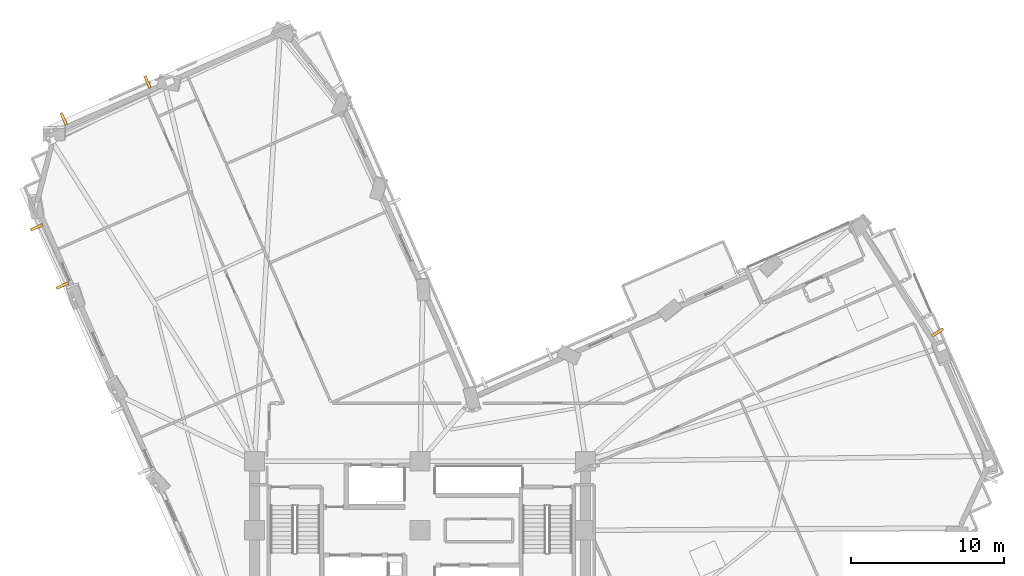
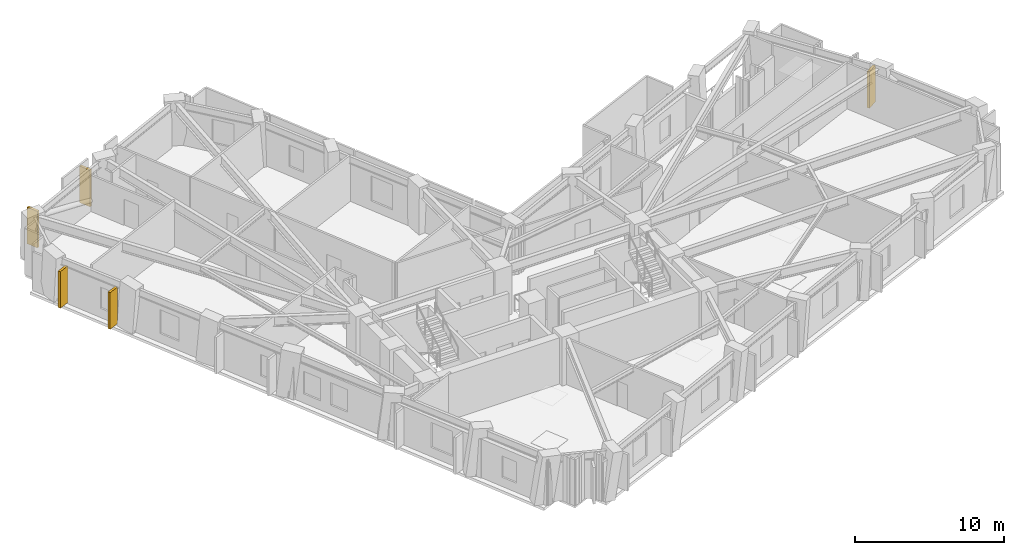
# One storey, part 13 of 15: 5 shading devices.
"""IFC4 building model written with IfcOpenShell, lengths in metres."""

from ifc_helpers import new_model, si_unit, direction, frame, origin, origin_2d, place, context, subcontext, project, spatial, rectangle, extrude, material, type_object, element, save


model = new_model("IFC4")

# Units and contexts
model_context = context("Model", 3, precision=1e-05, world=origin(), true_north=direction((0.0, 1.0)))
body_context = subcontext(model_context, "Body", "Model", "MODEL_VIEW")
ifc_project = project(units=[si_unit("LENGTHUNIT", "METRE"), si_unit("AREAUNIT", "SQUARE_METRE"), si_unit("VOLUMEUNIT", "CUBIC_METRE"), si_unit("PLANEANGLEUNIT", "RADIAN"), si_unit("MASSUNIT", "GRAM", prefix="KILO")], contexts=[model_context])

# Site, building, storey
site_placement = place(None, origin())
site = spatial("IfcSite", under=ifc_project, at=site_placement, CompositionType="ELEMENT")
building_placement = place(site_placement, origin())
building = spatial("IfcBuilding", under=site, at=building_placement, Name="Gaonmaruhae Medical Tower", CompositionType="ELEMENT")
storey_placement = place(building_placement, frame((0.0, 0.0, 124.39990234375)))
storey = spatial("IfcBuildingStorey", under=building, at=storey_placement, Name="L29", CompositionType="ELEMENT", Elevation=124.39990234375)

# Shading devices
ifc_material = material(Name="Pigmented coral precast concrete C45/55", Category="concrete")
shading_device_type = type_object("IfcShadingDeviceType", Name="SD-FIN1 Tower Vertical Coral Precast Shading Fin", PredefinedType="USERDEFINED", material=ifc_material)
for number, where, z_axis, x_axis, name in (
    (1, (58.556884765625, 25.211669921875, 0.08251953125), (0.0, 0.0, 1.0), (0.537902988992, -0.843006746375, 0.0), "L29 Vertical Coral Precast Shading Fin E02B"),
    (2, (1.560302734375, 39.124267578125, 0.08251953125), (0.0, 0.0, 1.0), (0.915311479119, 0.402746689859, 0.0), "L29 Vertical Coral Precast Shading Fin N02"),
    (3, (7.02490234375, 41.52880859375, 0.08251953125), (0.0, 0.0, 1.0), (0.915311479119, 0.402746689859, 0.0), "L29 Vertical Coral Precast Shading Fin N02B"),
    (4, (1.47265625, 28.25537109375, 0.08251953125), (0.0, 0.0, 1.0), (-0.402746689859, 0.915311479119, 0.0), "L29 Vertical Coral Precast Shading Fin W01"),
    (5, (-0.201171875, 32.058837890625, 0.08251953125), (0.0, 0.0, 1.0), (-0.402746689859, 0.915311479119, 0.0), "L29 Vertical Coral Precast Shading Fin W01B"),
):
    element("IfcShadingDevice", number, at=place(storey_placement, frame(where, z_axis=z_axis, x_axis=x_axis)), inside=storey, type_object=shading_device_type, Name=name, ObjectType="FIN", PredefinedType="USERDEFINED", context=body_context, shape_type="SweptSolid", body=[
        extrude(rectangle(XDim=0.179931640625, YDim=0.85009765625, at=origin_2d()), origin(), (0.0, 0.0, 1.0), 3.0),
    ])

save(model, "model.ifc")
